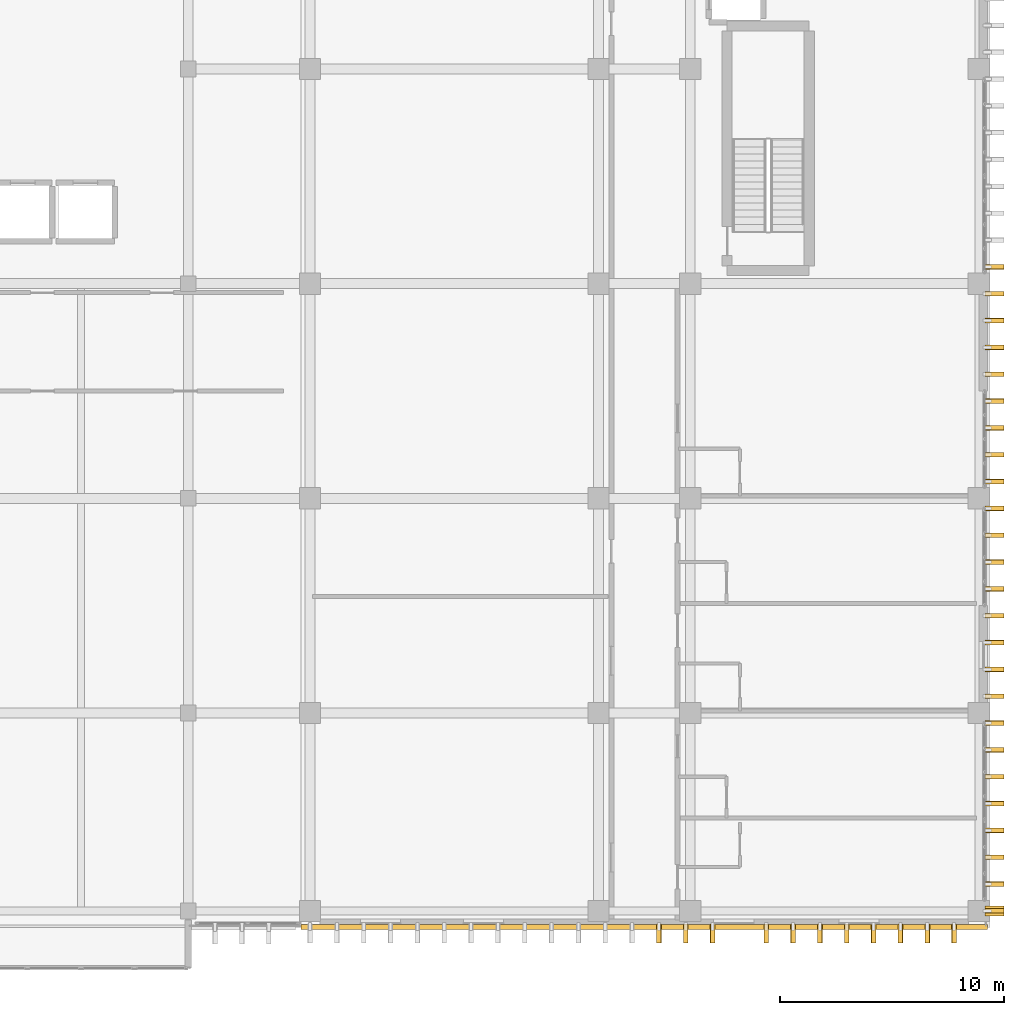
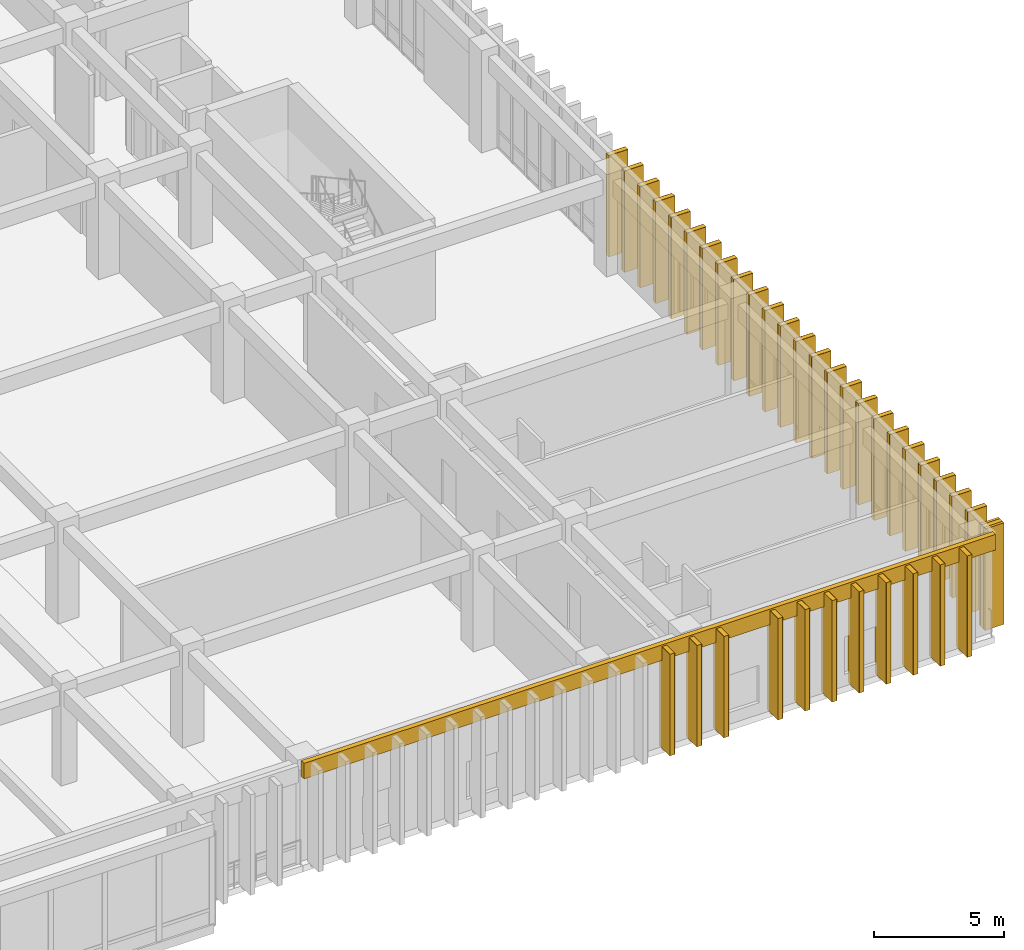
# One storey, part 126 of 133: 37 coverings, 36 shading devices.
"""IFC4 building model written with IfcOpenShell, lengths in metres."""

from ifc_helpers import new_model, si_unit, direction, frame, origin, origin_2d, place, context, subcontext, project, spatial, rectangle, extrude, material, layer, layer_set, type_object, element, save


model = new_model("IFC4")

# Units and contexts
model_context = context("Model", 3, precision=1e-05, world=origin(), true_north=direction((0.0, 1.0)))
body_context = subcontext(model_context, "Body", "Model", "MODEL_VIEW")
ifc_project = project(units=[si_unit("LENGTHUNIT", "METRE"), si_unit("AREAUNIT", "SQUARE_METRE"), si_unit("VOLUMEUNIT", "CUBIC_METRE"), si_unit("PLANEANGLEUNIT", "RADIAN"), si_unit("MASSUNIT", "GRAM", prefix="KILO")], contexts=[model_context])

# Site, building, storey
site_placement = place(None, origin())
site = spatial("IfcSite", under=ifc_project, at=site_placement, CompositionType="ELEMENT")
building_placement = place(site_placement, origin())
building = spatial("IfcBuilding", under=site, at=building_placement, Name="Nakhvara Creek Congress Hotel", CompositionType="ELEMENT")
storey_placement = place(building_placement, frame((0.0, 0.0, 11.39990234375)))
storey = spatial("IfcBuildingStorey", under=building, at=storey_placement, Name="L02", CompositionType="ELEMENT", Elevation=11.39990234375)

# Coverings
ifc_material_1 = material(Name="Honed pale Omani limestone architectural cladding", Category="masonry")
ifc_layer_1 = layer(ifc_material_1, 0.219970703125)
ifc_layer_set_1 = layer_set([ifc_layer_1], Name="Honed pale Omani limestone architectural cladding")
covering_type_1 = type_object("IfcCoveringType", Name="COV-FIN-850", PredefinedType="CLADDING", material=ifc_layer_set_1)
covering_1_placement = place(storey_placement, frame((180.054931640625, 0.75, 0.0), z_axis=(0.0, 0.0, 1.0), x_axis=(0.0, 1.0, 0.0)))
element("IfcCovering", 1, at=covering_1_placement, inside=storey, type_object=covering_type_1, Name="Pale Limestone Fin Cladding CF01-0853", PredefinedType="CLADDING", context=body_context, shape_type="SweptSolid", body=[
    extrude(rectangle(XDim=0.43994140625, YDim=0.85009765625, at=origin_2d()), origin(), (0.0, 0.0, 1.0), 4.760009765625),
])
for number, where, z_axis, x_axis, name in (
    (2, (180.054931640625, 1.949951171875, 0.0), (0.0, 0.0, 1.0), (0.0, 1.0, 0.0), "Pale Limestone Fin Cladding CF01-0854"),
    (3, (180.054931640625, 3.14990234375, 0.0), (0.0, 0.0, 1.0), (0.0, 1.0, 0.0), "Pale Limestone Fin Cladding CF01-0855"),
    (4, (180.054931640625, 4.35009765625, 0.0), (0.0, 0.0, 1.0), (0.0, 1.0, 0.0), "Pale Limestone Fin Cladding CF01-0856"),
    (5, (180.054931640625, 5.550048828125, 0.0), (0.0, 0.0, 1.0), (0.0, 1.0, 0.0), "Pale Limestone Fin Cladding CF01-0857"),
    (6, (180.054931640625, 6.75, 0.0), (0.0, 0.0, 1.0), (0.0, 1.0, 0.0), "Pale Limestone Fin Cladding CF01-0858"),
    (7, (180.054931640625, 7.949951171875, 0.0), (0.0, 0.0, 1.0), (0.0, 1.0, 0.0), "Pale Limestone Fin Cladding CF01-0859"),
    (8, (180.054931640625, 9.14990234375, 0.0), (0.0, 0.0, 1.0), (0.0, 1.0, 0.0), "Pale Limestone Fin Cladding CF01-0860"),
    (9, (180.054931640625, 10.35009765625, 0.0), (0.0, 0.0, 1.0), (0.0, 1.0, 0.0), "Pale Limestone Fin Cladding CF01-0861"),
    (10, (180.054931640625, 11.550048828125, 0.0), (0.0, 0.0, 1.0), (0.0, 1.0, 0.0), "Pale Limestone Fin Cladding CF01-0862"),
    (11, (180.054931640625, 12.75, 0.0), (0.0, 0.0, 1.0), (0.0, 1.0, 0.0), "Pale Limestone Fin Cladding CF01-0863"),
    (12, (180.054931640625, 13.949951171875, 0.0), (0.0, 0.0, 1.0), (0.0, 1.0, 0.0), "Pale Limestone Fin Cladding CF01-0864"),
    (13, (180.054931640625, 15.14990234375, 0.0), (0.0, 0.0, 1.0), (0.0, 1.0, 0.0), "Pale Limestone Fin Cladding CF01-0865"),
    (14, (180.054931640625, 16.35009765625, 0.0), (0.0, 0.0, 1.0), (0.0, 1.0, 0.0), "Pale Limestone Fin Cladding CF01-0866"),
    (15, (180.054931640625, 17.550048828125, 0.0), (0.0, 0.0, 1.0), (0.0, 1.0, 0.0), "Pale Limestone Fin Cladding CF01-0867"),
    (16, (180.054931640625, 18.75, 0.0), (0.0, 0.0, 1.0), (0.0, 1.0, 0.0), "Pale Limestone Fin Cladding CF01-0868"),
    (17, (180.054931640625, 19.949951171875, 0.0), (0.0, 0.0, 1.0), (0.0, 1.0, 0.0), "Pale Limestone Fin Cladding CF01-0869"),
    (18, (180.054931640625, 21.14990234375, 0.0), (0.0, 0.0, 1.0), (0.0, 1.0, 0.0), "Pale Limestone Fin Cladding CF01-0870"),
    (19, (180.054931640625, 22.35009765625, 0.0), (0.0, 0.0, 1.0), (0.0, 1.0, 0.0), "Pale Limestone Fin Cladding CF01-0871"),
    (20, (180.054931640625, 23.550048828125, 0.0), (0.0, 0.0, 1.0), (0.0, 1.0, 0.0), "Pale Limestone Fin Cladding CF01-0872"),
    (21, (180.054931640625, 24.75, 0.0), (0.0, 0.0, 1.0), (0.0, 1.0, 0.0), "Pale Limestone Fin Cladding CF01-0873"),
    (22, (180.054931640625, 25.949951171875, 0.0), (0.0, 0.0, 1.0), (0.0, 1.0, 0.0), "Pale Limestone Fin Cladding CF01-0874"),
    (23, (180.054931640625, 27.14990234375, 0.0), (0.0, 0.0, 1.0), (0.0, 1.0, 0.0), "Pale Limestone Fin Cladding CF01-0875"),
    (24, (180.054931640625, 28.35009765625, 0.0), (0.0, 0.0, 1.0), (0.0, 1.0, 0.0), "Pale Limestone Fin Cladding CF01-0876"),
    (25, (180.054931640625, 29.550048828125, 0.0), (0.0, 0.0, 1.0), (0.0, 1.0, 0.0), "Pale Limestone Fin Cladding CF01-0877"),
    (26, (165.050048828125, -0.264892578125, 0.0), (0.0, 0.0, 1.0), (1.0, 0.0, 0.0), "Pale Limestone Fin Cladding CF01-1006"),
    (27, (166.25, -0.264892578125, 0.0), (0.0, 0.0, 1.0), (1.0, 0.0, 0.0), "Pale Limestone Fin Cladding CF01-1008"),
    (28, (167.449951171875, -0.264892578125, 0.0), (0.0, 0.0, 1.0), (1.0, 0.0, 0.0), "Pale Limestone Fin Cladding CF01-1010"),
    (29, (169.85009765625, -0.264892578125, 0.0), (0.0, 0.0, 1.0), (1.0, 0.0, 0.0), "Pale Limestone Fin Cladding CF01-1013"),
    (30, (171.050048828125, -0.264892578125, 0.0), (0.0, 0.0, 1.0), (1.0, 0.0, 0.0), "Pale Limestone Fin Cladding CF01-1015"),
    (31, (172.25, -0.264892578125, 0.0), (0.0, 0.0, 1.0), (1.0, 0.0, 0.0), "Pale Limestone Fin Cladding CF01-1017"),
    (32, (173.449951171875, -0.264892578125, 0.0), (0.0, 0.0, 1.0), (1.0, 0.0, 0.0), "Pale Limestone Fin Cladding CF01-1019"),
    (33, (174.64990234375, -0.264892578125, 0.0), (0.0, 0.0, 1.0), (1.0, 0.0, 0.0), "Pale Limestone Fin Cladding CF01-1021"),
    (34, (175.85009765625, -0.264892578125, 0.0), (0.0, 0.0, 1.0), (1.0, 0.0, 0.0), "Pale Limestone Fin Cladding CF01-1022"),
    (35, (177.050048828125, -0.264892578125, 0.0), (0.0, 0.0, 1.0), (1.0, 0.0, 0.0), "Pale Limestone Fin Cladding CF01-1024"),
    (36, (178.25, -0.264892578125, 0.0), (0.0, 0.0, 1.0), (1.0, 0.0, 0.0), "Pale Limestone Fin Cladding CF01-1026"),
):
    element("IfcCovering", number, at=place(storey_placement, frame(where, z_axis=z_axis, x_axis=x_axis)), inside=storey, type_object=covering_type_1, Name=name, PredefinedType="CLADDING", context=body_context, shape_type="SweptSolid", body=[
        extrude(rectangle(XDim=0.219970703125, YDim=0.85009765625, at=origin_2d()), origin(), (0.0, 0.0, 1.0), 4.760009765625),
    ])
ifc_layer_2 = layer(ifc_material_1, 0.179931640625)
ifc_layer_set_2 = layer_set([ifc_layer_2], Name="Honed pale Omani limestone architectural cladding")
covering_type_2 = type_object("IfcCoveringType", Name="COV-SPN-180", PredefinedType="CLADDING", material=ifc_layer_set_2)
covering_2_placement = place(storey_placement, frame((164.39990234375, 0.030029296875, 4.110107421875), z_axis=(0.0, 0.0, 1.0), x_axis=(1.0, 0.0, 0.0)))
element("IfcCovering", 37, at=covering_2_placement, inside=storey, type_object=covering_type_2, Name="Pale Limestone Spandrel Band CF02-0052", PredefinedType="CLADDING", context=body_context, shape_type="SweptSolid", body=[
    extrude(rectangle(XDim=30.699951171875, YDim=0.219970703125, at=origin_2d()), origin(), (0.0, 0.0, 1.0), 0.72998046875),
])

# Shading devices
ifc_material_2 = material(Name="Honed pale Omani limestone cladding on stainless steel spine", Category="masonry")
shading_device_type = type_object("IfcShadingDeviceType", Name="SHD-FIN-850X4700", PredefinedType="USERDEFINED", material=ifc_material_2)
for number, where, z_axis, x_axis, name in (
    (38, (180.054931640625, 0.75, 0.0), (0.0, 0.0, 1.0), (0.0, 1.0, 0.0), "Limestone Solar Fin FN02-0718"),
    (39, (180.054931640625, 1.949951171875, 0.0), (0.0, 0.0, 1.0), (0.0, 1.0, 0.0), "Limestone Solar Fin FN02-0719"),
    (40, (180.054931640625, 3.14990234375, 0.0), (0.0, 0.0, 1.0), (0.0, 1.0, 0.0), "Limestone Solar Fin FN02-0720"),
    (41, (180.054931640625, 4.35009765625, 0.0), (0.0, 0.0, 1.0), (0.0, 1.0, 0.0), "Limestone Solar Fin FN02-0721"),
    (42, (180.054931640625, 5.550048828125, 0.0), (0.0, 0.0, 1.0), (0.0, 1.0, 0.0), "Limestone Solar Fin FN02-0722"),
    (43, (180.054931640625, 6.75, 0.0), (0.0, 0.0, 1.0), (0.0, 1.0, 0.0), "Limestone Solar Fin FN02-0723"),
    (44, (180.054931640625, 7.949951171875, 0.0), (0.0, 0.0, 1.0), (0.0, 1.0, 0.0), "Limestone Solar Fin FN02-0724"),
    (45, (180.054931640625, 9.14990234375, 0.0), (0.0, 0.0, 1.0), (0.0, 1.0, 0.0), "Limestone Solar Fin FN02-0725"),
    (46, (180.054931640625, 10.35009765625, 0.0), (0.0, 0.0, 1.0), (0.0, 1.0, 0.0), "Limestone Solar Fin FN02-0726"),
    (47, (180.054931640625, 11.550048828125, 0.0), (0.0, 0.0, 1.0), (0.0, 1.0, 0.0), "Limestone Solar Fin FN02-0727"),
    (48, (180.054931640625, 12.75, 0.0), (0.0, 0.0, 1.0), (0.0, 1.0, 0.0), "Limestone Solar Fin FN02-0728"),
    (49, (180.054931640625, 13.949951171875, 0.0), (0.0, 0.0, 1.0), (0.0, 1.0, 0.0), "Limestone Solar Fin FN02-0729"),
    (50, (180.054931640625, 15.14990234375, 0.0), (0.0, 0.0, 1.0), (0.0, 1.0, 0.0), "Limestone Solar Fin FN02-0730"),
    (51, (180.054931640625, 16.35009765625, 0.0), (0.0, 0.0, 1.0), (0.0, 1.0, 0.0), "Limestone Solar Fin FN02-0731"),
    (52, (180.054931640625, 17.550048828125, 0.0), (0.0, 0.0, 1.0), (0.0, 1.0, 0.0), "Limestone Solar Fin FN02-0732"),
    (53, (180.054931640625, 18.75, 0.0), (0.0, 0.0, 1.0), (0.0, 1.0, 0.0), "Limestone Solar Fin FN02-0733"),
    (54, (180.054931640625, 19.949951171875, 0.0), (0.0, 0.0, 1.0), (0.0, 1.0, 0.0), "Limestone Solar Fin FN02-0734"),
    (55, (180.054931640625, 21.14990234375, 0.0), (0.0, 0.0, 1.0), (0.0, 1.0, 0.0), "Limestone Solar Fin FN02-0735"),
    (56, (180.054931640625, 22.35009765625, 0.0), (0.0, 0.0, 1.0), (0.0, 1.0, 0.0), "Limestone Solar Fin FN02-0736"),
    (57, (180.054931640625, 23.550048828125, 0.0), (0.0, 0.0, 1.0), (0.0, 1.0, 0.0), "Limestone Solar Fin FN02-0737"),
    (58, (180.054931640625, 24.75, 0.0), (0.0, 0.0, 1.0), (0.0, 1.0, 0.0), "Limestone Solar Fin FN02-0738"),
    (59, (180.054931640625, 25.949951171875, 0.0), (0.0, 0.0, 1.0), (0.0, 1.0, 0.0), "Limestone Solar Fin FN02-0739"),
    (60, (180.054931640625, 27.14990234375, 0.0), (0.0, 0.0, 1.0), (0.0, 1.0, 0.0), "Limestone Solar Fin FN02-0740"),
    (61, (180.054931640625, 28.35009765625, 0.0), (0.0, 0.0, 1.0), (0.0, 1.0, 0.0), "Limestone Solar Fin FN02-0741"),
    (62, (180.054931640625, 29.550048828125, 0.0), (0.0, 0.0, 1.0), (0.0, 1.0, 0.0), "Limestone Solar Fin FN02-0742"),
    (63, (165.050048828125, -0.264892578125, 0.0), (0.0, 0.0, 1.0), (1.0, 0.0, 0.0), "Limestone Solar Fin FN02-0871"),
    (64, (166.25, -0.264892578125, 0.0), (0.0, 0.0, 1.0), (1.0, 0.0, 0.0), "Limestone Solar Fin FN02-0873"),
    (65, (167.449951171875, -0.264892578125, 0.0), (0.0, 0.0, 1.0), (1.0, 0.0, 0.0), "Limestone Solar Fin FN02-0875"),
    (66, (169.85009765625, -0.264892578125, 0.0), (0.0, 0.0, 1.0), (1.0, 0.0, 0.0), "Limestone Solar Fin FN02-0878"),
    (67, (171.050048828125, -0.264892578125, 0.0), (0.0, 0.0, 1.0), (1.0, 0.0, 0.0), "Limestone Solar Fin FN02-0880"),
    (68, (172.25, -0.264892578125, 0.0), (0.0, 0.0, 1.0), (1.0, 0.0, 0.0), "Limestone Solar Fin FN02-0882"),
    (69, (173.449951171875, -0.264892578125, 0.0), (0.0, 0.0, 1.0), (1.0, 0.0, 0.0), "Limestone Solar Fin FN02-0884"),
    (70, (174.64990234375, -0.264892578125, 0.0), (0.0, 0.0, 1.0), (1.0, 0.0, 0.0), "Limestone Solar Fin FN02-0886"),
    (71, (175.85009765625, -0.264892578125, 0.0), (0.0, 0.0, 1.0), (1.0, 0.0, 0.0), "Limestone Solar Fin FN02-0887"),
    (72, (177.050048828125, -0.264892578125, 0.0), (0.0, 0.0, 1.0), (1.0, 0.0, 0.0), "Limestone Solar Fin FN02-0889"),
    (73, (178.25, -0.264892578125, 0.0), (0.0, 0.0, 1.0), (1.0, 0.0, 0.0), "Limestone Solar Fin FN02-0891"),
):
    element("IfcShadingDevice", number, at=place(storey_placement, frame(where, z_axis=z_axis, x_axis=x_axis)), inside=storey, type_object=shading_device_type, Name=name, ObjectType="FIN", PredefinedType="USERDEFINED", context=body_context, shape_type="SweptSolid", body=[
        extrude(rectangle(XDim=0.199951171875, YDim=0.85009765625, at=origin_2d()), origin(), (0.0, 0.0, 1.0), 4.760009765625),
    ])

save(model, "model.ifc")
